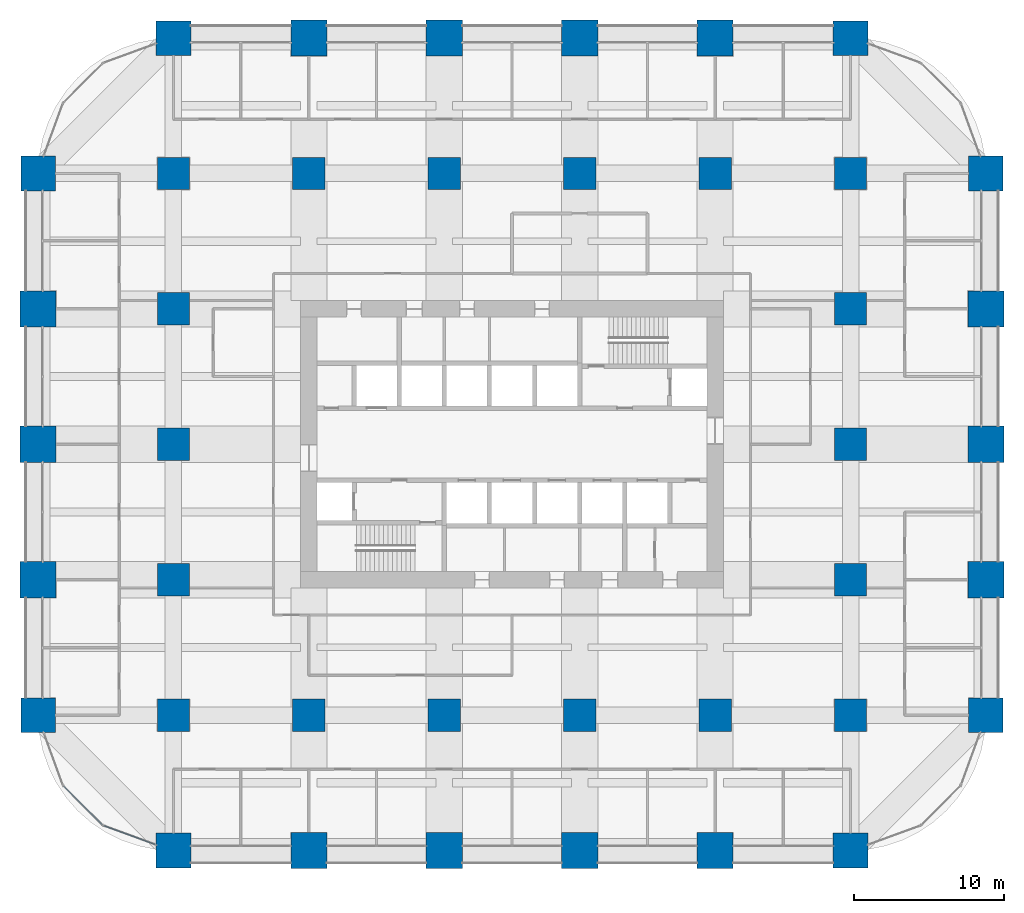
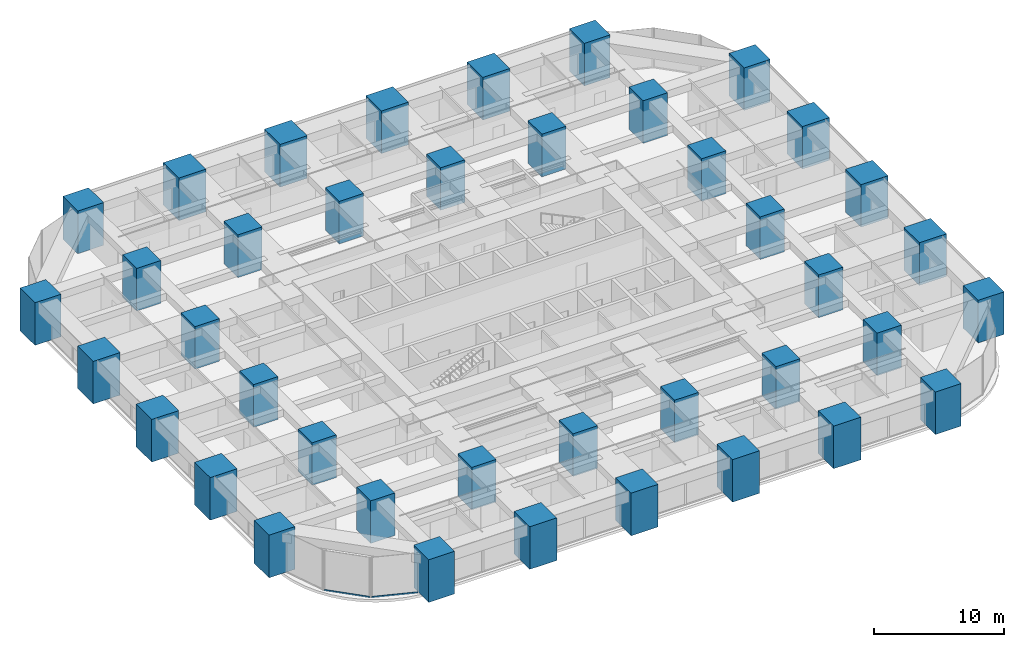
# One storey, part 1 of 45: 40 columns, 2 members, 2 elements without a shape of their own.
"""IFC4 building model written with IfcOpenShell, lengths in metres."""

from ifc_helpers import new_model, si_unit, direction, frame, origin, origin_2d, place, context, subcontext, project, spatial, rectangle, hollow_rectangle, extrude, material, material_profile, profile_set, type_object, element, aggregate, save


model = new_model("IFC4")

# Units and contexts
model_context = context("Model", 3, precision=1e-05, world=origin(), true_north=direction((0.0, 1.0)))
body_context = subcontext(model_context, "Body", "Model", "MODEL_VIEW")
ifc_project = project(units=[si_unit("LENGTHUNIT", "METRE"), si_unit("AREAUNIT", "SQUARE_METRE"), si_unit("VOLUMEUNIT", "CUBIC_METRE"), si_unit("PLANEANGLEUNIT", "RADIAN"), si_unit("MASSUNIT", "GRAM", prefix="KILO")], contexts=[model_context])

# Site, building, storey
site_placement = place(None, origin())
site = spatial("IfcSite", under=ifc_project, at=site_placement, CompositionType="ELEMENT")
building_placement = place(site_placement, origin())
building = spatial("IfcBuilding", under=site, at=building_placement, Name="Zorevar Civic Tower", CompositionType="ELEMENT")
storey_placement = place(building_placement, frame((0.0, 0.0, 71.800048828125)))
storey = spatial("IfcBuildingStorey", under=building, at=storey_placement, Name="L17", CompositionType="ELEMENT", Elevation=71.800048828125)

# Columns
ifc_material_1 = material(Name="Concrete C50/60", Category="concrete")
ifc_material_profile_1 = material_profile(ifc_material_1, rectangle(XDim=2.14990234375, YDim=2.14990234375, at=origin_2d()), Name="RC 2150x2150")
ifc_profile_set_1 = profile_set([ifc_material_profile_1], Name="Concrete C50/60")
column_type_1 = type_object("IfcColumnType", Name="Column RC 2150x2150", PredefinedType="COLUMN", material=ifc_profile_set_1)
for number, where, z_axis, x_axis, name in (
    (1, (9.0, 9.0, 0.0), (0.0, 0.0, 1.0), (1.0, 0.0, 0.0), "Column 3B L17"),
    (2, (9.0, 18.0, 0.0), (0.0, 0.0, 1.0), (1.0, 0.0, 0.0), "Column 3C L17"),
    (3, (9.0, 27.0, 0.0), (0.0, 0.0, 1.0), (1.0, 0.0, 0.0), "Column 3D L17"),
    (4, (9.0, 36.0, 0.0), (0.0, 0.0, 1.0), (1.0, 0.0, 0.0), "Column 3E L17"),
    (5, (9.0, 45.0, 0.0), (0.0, 0.0, 1.0), (1.0, 0.0, 0.0), "Column 3F L17"),
    (6, (18.0, 9.0, 0.0), (0.0, 0.0, 1.0), (1.0, 0.0, 0.0), "Column 4B L17"),
    (7, (18.0, 45.0, 0.0), (0.0, 0.0, 1.0), (1.0, 0.0, 0.0), "Column 4F L17"),
    (8, (27.0, 9.0, 0.0), (0.0, 0.0, 1.0), (1.0, 0.0, 0.0), "Column 5B L17"),
    (9, (27.0, 45.0, 0.0), (0.0, 0.0, 1.0), (1.0, 0.0, 0.0), "Column 5F L17"),
    (10, (36.0, 9.0, 0.0), (0.0, 0.0, 1.0), (1.0, 0.0, 0.0), "Column 6B L17"),
    (11, (36.0, 45.0, 0.0), (0.0, 0.0, 1.0), (1.0, 0.0, 0.0), "Column 6F L17"),
    (12, (45.0, 9.0, 0.0), (0.0, 0.0, 1.0), (1.0, 0.0, 0.0), "Column 7B L17"),
    (13, (45.0, 45.0, 0.0), (0.0, 0.0, 1.0), (1.0, 0.0, 0.0), "Column 7F L17"),
    (14, (54.0, 9.0, 0.0), (0.0, 0.0, 1.0), (1.0, 0.0, 0.0), "Column 8B L17"),
    (15, (54.0, 18.0, 0.0), (0.0, 0.0, 1.0), (1.0, 0.0, 0.0), "Column 8C L17"),
    (16, (54.0, 27.0, 0.0), (0.0, 0.0, 1.0), (1.0, 0.0, 0.0), "Column 8D L17"),
    (17, (54.0, 36.0, 0.0), (0.0, 0.0, 1.0), (1.0, 0.0, 0.0), "Column 8E L17"),
    (18, (54.0, 45.0, 0.0), (0.0, 0.0, 1.0), (1.0, 0.0, 0.0), "Column 8F L17"),
):
    element("IfcColumn", number, at=place(storey_placement, frame(where, z_axis=z_axis, x_axis=x_axis)), inside=storey, type_object=column_type_1, Name=name, PredefinedType="COLUMN", context=body_context, shape_type="SweptSolid", body=[
        extrude(rectangle(XDim=2.14990234375, YDim=2.14990234375, at=origin_2d()), origin(), (0.0, 0.0, 1.0), 4.0),
    ])
ifc_material_2 = material(Name="Concrete C50/60", Category="concrete")
ifc_material_profile_2 = material_profile(ifc_material_2, rectangle(XDim=2.300048828125, YDim=2.300048828125, at=origin_2d()), Name="RC 2300x2300")
ifc_profile_set_2 = profile_set([ifc_material_profile_2], Name="Concrete C50/60")
column_type_2 = type_object("IfcColumnType", Name="Column RC 2300x2300", PredefinedType="COLUMN", material=ifc_profile_set_2)
for number, where, z_axis, x_axis, name in (
    (19, (0.0, 9.0, 0.0), (0.0, 0.0, 1.0), (1.0, 0.0, 0.0), "Column 2B L17"),
    (20, (0.0, 45.0, 0.0), (0.0, 0.0, 1.0), (1.0, 0.0, 0.0), "Column 2F L17"),
    (21, (9.0, 0.0, 0.0), (0.0, 0.0, 1.0), (1.0, 0.0, 0.0), "Column 3A L17"),
    (22, (9.0, 54.0, 0.0), (0.0, 0.0, 1.0), (1.0, 0.0, 0.0), "Column 3G L17"),
    (23, (54.0, 0.0, 0.0), (0.0, 0.0, 1.0), (1.0, 0.0, 0.0), "Column 8A L17"),
    (24, (54.0, 54.0, 0.0), (0.0, 0.0, 1.0), (1.0, 0.0, 0.0), "Column 8G L17"),
    (25, (63.0, 9.0, 0.0), (0.0, 0.0, 1.0), (1.0, 0.0, 0.0), "Column 9B L17"),
    (26, (63.0, 45.0, 0.0), (0.0, 0.0, 1.0), (1.0, 0.0, 0.0), "Column 9F L17"),
):
    element("IfcColumn", number, at=place(storey_placement, frame(where, z_axis=z_axis, x_axis=x_axis)), inside=storey, type_object=column_type_2, Name=name, PredefinedType="COLUMN", context=body_context, shape_type="SweptSolid", body=[
        extrude(rectangle(XDim=2.300048828125, YDim=2.300048828125, at=origin_2d()), origin(), (0.0, 0.0, 1.0), 4.0),
    ])
ifc_material_3 = material(Name="Concrete C50/60", Category="concrete")
ifc_material_profile_3 = material_profile(ifc_material_3, rectangle(XDim=2.39990234375, YDim=2.39990234375, at=origin_2d()), Name="RC 2400x2400")
ifc_profile_set_3 = profile_set([ifc_material_profile_3], Name="Concrete C50/60")
column_type_3 = type_object("IfcColumnType", Name="Mega column RC 2400x2400", PredefinedType="COLUMN", material=ifc_profile_set_3)
for number, where, z_axis, x_axis, name in (
    (27, (0.0, 18.0, 0.0), (0.0, 0.0, 1.0), (1.0, 0.0, 0.0), "Column 2C L17"),
    (28, (0.0, 27.0, 0.0), (0.0, 0.0, 1.0), (1.0, 0.0, 0.0), "Column 2D L17"),
    (29, (0.0, 36.0, 0.0), (0.0, 0.0, 1.0), (1.0, 0.0, 0.0), "Column 2E L17"),
    (30, (18.0, 0.0, 0.0), (0.0, 0.0, 1.0), (1.0, 0.0, 0.0), "Column 4A L17"),
    (31, (18.0, 54.0, 0.0), (0.0, 0.0, 1.0), (1.0, 0.0, 0.0), "Column 4G L17"),
    (32, (27.0, 0.0, 0.0), (0.0, 0.0, 1.0), (1.0, 0.0, 0.0), "Column 5A L17"),
    (33, (27.0, 54.0, 0.0), (0.0, 0.0, 1.0), (1.0, 0.0, 0.0), "Column 5G L17"),
    (34, (36.0, 0.0, 0.0), (0.0, 0.0, 1.0), (1.0, 0.0, 0.0), "Column 6A L17"),
    (35, (36.0, 54.0, 0.0), (0.0, 0.0, 1.0), (1.0, 0.0, 0.0), "Column 6G L17"),
    (36, (45.0, 0.0, 0.0), (0.0, 0.0, 1.0), (1.0, 0.0, 0.0), "Column 7A L17"),
    (37, (45.0, 54.0, 0.0), (0.0, 0.0, 1.0), (1.0, 0.0, 0.0), "Column 7G L17"),
    (38, (63.0, 18.0, 0.0), (0.0, 0.0, 1.0), (1.0, 0.0, 0.0), "Column 9C L17"),
    (39, (63.0, 27.0, 0.0), (0.0, 0.0, 1.0), (1.0, 0.0, 0.0), "Column 9D L17"),
    (40, (63.0, 36.0, 0.0), (0.0, 0.0, 1.0), (1.0, 0.0, 0.0), "Column 9E L17"),
):
    element("IfcColumn", number, at=place(storey_placement, frame(where, z_axis=z_axis, x_axis=x_axis)), inside=storey, type_object=column_type_3, Name=name, PredefinedType="COLUMN", context=body_context, shape_type="SweptSolid", body=[
        extrude(rectangle(XDim=2.39990234375, YDim=2.39990234375, at=origin_2d()), origin(), (0.0, 0.0, 1.0), 4.0),
    ])

# Curtain wall, member
ifc_material_4 = material(Name="Dark grey solar-control glass in black aluminium frame", Category="aluminium")
curtain_wall_type = type_object("IfcCurtainWallType", Name="Curtain wall CW2 low zone", PredefinedType="NOTDEFINED", material=ifc_material_4)
curtain_wall_1_placement = place(storey_placement, origin())
curtain_wall_1 = element("IfcCurtainWall", 41, at=curtain_wall_1_placement, inside=storey, type_object=curtain_wall_type, Name="CW2 L17", PredefinedType="NOTDEFINED")
ifc_material_5 = material(Name="Aluminium, black anodised", Category="aluminium")
ifc_material_profile_4 = material_profile(ifc_material_5, hollow_rectangle(XDim=0.06005859375, YDim=0.14990234375, WallThickness=0.00390625, at=origin_2d()), Name="AL 150x60x4")
ifc_profile_set_4 = profile_set([ifc_material_profile_4], Name="Aluminium, black anodised")
member_type = type_object("IfcMemberType", Name="CW2 transom AL 150x60x4", PredefinedType="USERDEFINED", material=ifc_profile_set_4)
member_1_placement = place(storey_placement, frame((1.70751953125, 4.279052734375, 0.030029296875), z_axis=(0.707106781187, -0.707106781187, 0.0), x_axis=(0.707106781187, 0.707106781187, 0.0)))
member_1 = element("IfcMember", 42, at=member_1_placement, type_object=member_type, Name="CW2 sill transom", ObjectType="TRANSOM", PredefinedType="USERDEFINED", context=body_context, shape_type="SweptSolid", body=[
    extrude(hollow_rectangle(XDim=0.06005859375, YDim=0.14990234375, WallThickness=0.00390625, at=origin_2d()), origin(), (0.0, 0.0, 1.0), 3.63671875),
])
aggregate(curtain_wall_1, [member_1])

curtain_wall_2_placement = place(storey_placement, origin())
curtain_wall_2 = element("IfcCurtainWall", 43, at=curtain_wall_2_placement, inside=storey, type_object=curtain_wall_type, Name="CW2 L17", PredefinedType="NOTDEFINED")
member_2_placement = place(storey_placement, frame((4.377685546875, 1.64453125, 0.030029296875), z_axis=(0.939318180432, -0.343047162808, 0.0), x_axis=(0.343047162808, 0.939318180432, 0.0)))
member_2 = element("IfcMember", 44, at=member_2_placement, type_object=member_type, Name="CW2 sill transom", ObjectType="TRANSOM", PredefinedType="USERDEFINED", context=body_context, shape_type="SweptSolid", body=[
    extrude(hollow_rectangle(XDim=0.06005859375, YDim=0.14990234375, WallThickness=0.00390625, at=origin_2d()), origin(), (0.0, 0.0, 1.0), 3.63671875),
])
aggregate(curtain_wall_2, [member_2])

save(model, "model.ifc")
